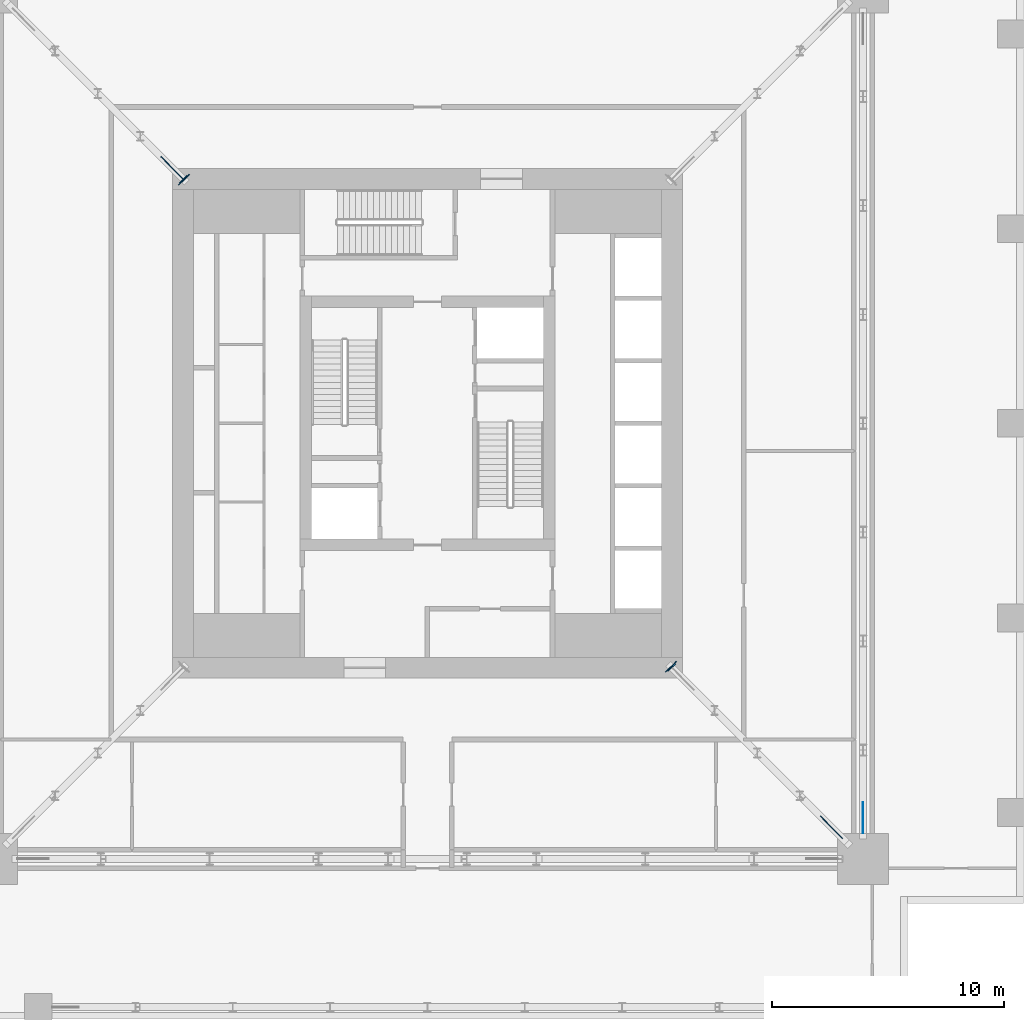
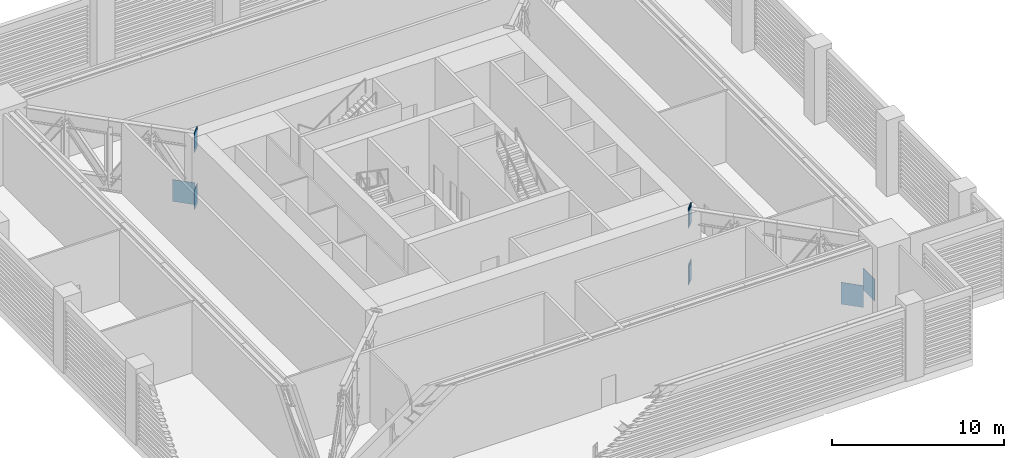
# One storey, part 7 of 16: 11 plates.
"""IFC4 building model written with IfcOpenShell, lengths in metres."""

from ifc_helpers import new_model, si_unit, direction, frame, origin, origin_2d, place, context, subcontext, project, spatial, rectangle, extrude, material, layer, layer_set, type_object, element, save


model = new_model("IFC4")

# Units and contexts
model_context = context("Model", 3, precision=1e-05, world=origin(), true_north=direction((0.0, 1.0)))
body_context = subcontext(model_context, "Body", "Model", "MODEL_VIEW")
ifc_project = project(units=[si_unit("LENGTHUNIT", "METRE"), si_unit("AREAUNIT", "SQUARE_METRE"), si_unit("VOLUMEUNIT", "CUBIC_METRE"), si_unit("PLANEANGLEUNIT", "RADIAN"), si_unit("MASSUNIT", "GRAM", prefix="KILO")], contexts=[model_context])

# Site, building, storey
site_placement = place(None, origin())
site = spatial("IfcSite", under=ifc_project, at=site_placement, CompositionType="ELEMENT")
building_placement = place(site_placement, origin())
building = spatial("IfcBuilding", under=site, at=building_placement, Name="Khepri Terraces", CompositionType="ELEMENT")
storey_placement = place(building_placement, frame((0.0, 0.0, 287.39990234375)))
storey = spatial("IfcBuildingStorey", under=building, at=storey_placement, Name="L69", CompositionType="ELEMENT", Elevation=287.39990234375)

# Plates
ifc_material = material(Name="Steel S355", Category="steel")
ifc_layer_1 = layer(ifc_material, 0.034912109375, Name="Steel S355", Category="steel")
ifc_layer_set_1 = layer_set([ifc_layer_1], Name="Steel S355")
plate_type_1 = type_object("IfcPlateType", Name="Cast-in plate 1450x650x35", PredefinedType="USERDEFINED", material=ifc_layer_set_1)
for number, where, z_axis, x_axis, name in (
    (1, (10.50927734375, -10.50927734375, -0.220703125), (0.0, 0.0, 1.0), (0.707106781187, -0.707106781187, 0.0), "CAST-IN PLATE OT-69-ES BOT wall A"),
    (2, (10.50927734375, -10.50927734375, 3.8212890625), (0.0, 0.0, 1.0), (0.707106781187, -0.707106781187, 0.0), "CAST-IN PLATE OT-69-ES TOP wall A"),
    (3, (-10.50927734375, 10.50927734375, -0.220703125), (0.0, 0.0, 1.0), (-0.707106781187, 0.707106781187, 0.0), "CAST-IN PLATE OT-69-WN BOT wall A"),
    (4, (-10.50927734375, 10.50927734375, 3.8212890625), (0.0, 0.0, 1.0), (-0.707106781187, 0.707106781187, 0.0), "CAST-IN PLATE OT-69-WN TOP wall A"),
):
    element("IfcPlate", number, at=place(storey_placement, frame(where, z_axis=z_axis, x_axis=x_axis)), inside=storey, type_object=plate_type_1, Name=name, ObjectType="CAST-IN PLATE", PredefinedType="USERDEFINED", context=body_context, shape_type="SweptSolid", body=[
        extrude(rectangle(XDim=0.034912109375, YDim=0.64990234375, at=origin_2d()), origin(), (0.0, 0.0, 1.0), 1.449951171875),
    ])
ifc_layer_2 = layer(ifc_material, 0.0400390625, Name="Steel S355", Category="steel")
ifc_layer_set_2 = layer_set([ifc_layer_2], Name="Steel S355")
plate_type_2 = type_object("IfcPlateType", Name="End plate 1150x450x40", PredefinedType="USERDEFINED", material=ifc_layer_set_2)
for number, where, z_axis, x_axis, name in (
    (5, (10.535888671875, -10.535888671875, -0.07080078125), (0.0, 0.0, 1.0), (0.707106781187, -0.707106781187, 0.0), "END PLATE OT-69-ES BOT end A"),
    (6, (10.535888671875, -10.535888671875, 3.97119140625), (0.0, 0.0, 1.0), (0.707106781187, -0.707106781187, 0.0), "END PLATE OT-69-ES TOP end A"),
    (7, (-10.535888671875, 10.535888671875, -0.07080078125), (0.0, 0.0, 1.0), (-0.707106781187, 0.707106781187, 0.0), "END PLATE OT-69-WN BOT end A"),
    (8, (-10.535888671875, 10.535888671875, 3.97119140625), (0.0, 0.0, 1.0), (-0.707106781187, 0.707106781187, 0.0), "END PLATE OT-69-WN TOP end A"),
):
    element("IfcPlate", number, at=place(storey_placement, frame(where, z_axis=z_axis, x_axis=x_axis)), inside=storey, type_object=plate_type_2, Name=name, ObjectType="END PLATE", PredefinedType="USERDEFINED", context=body_context, shape_type="SweptSolid", body=[
        extrude(rectangle(XDim=0.0400390625, YDim=0.449951171875, at=origin_2d()), origin(), (0.0, 0.0, 1.0), 1.14990234375),
    ])
ifc_layer_3 = layer(ifc_material, 0.034912109375, Name="Steel S355", Category="steel")
ifc_layer_set_3 = layer_set([ifc_layer_3], Name="Steel S355")
plate_type_3 = type_object("IfcPlateType", Name="Gusset plate 1350x1550x35", PredefinedType="USERDEFINED", material=ifc_layer_set_3)
for number, where, z_axis, x_axis, name in (
    (9, (17.434814453125, -17.434814453125, -0.10009765625), (0.0, 0.0, 1.0), (0.707106781187, -0.707106781187, 0.0), "GUSSET PLATE OT-69-ES column node B"),
    (10, (-11.02734375, 11.02734375, -0.10009765625), (0.0, 0.0, 1.0), (-0.707106781187, 0.707106781187, 0.0), "GUSSET PLATE OT-69-WN node A"),
    (11, (18.800048828125, -17.02490234375, -0.10009765625), (0.0, 0.0, 1.0), (0.0, 1.0, 0.0), "GUSSET PLATE BT-69-E column node A"),
):
    element("IfcPlate", number, at=place(storey_placement, frame(where, z_axis=z_axis, x_axis=x_axis)), inside=storey, type_object=plate_type_3, Name=name, ObjectType="GUSSET PLATE", PredefinedType="USERDEFINED", context=body_context, shape_type="SweptSolid", body=[
        extrude(rectangle(XDim=1.35009765625, YDim=0.034912109375, at=origin_2d()), origin(), (0.0, 0.0, 1.0), 1.550048828125),
    ])

save(model, "model.ifc")
